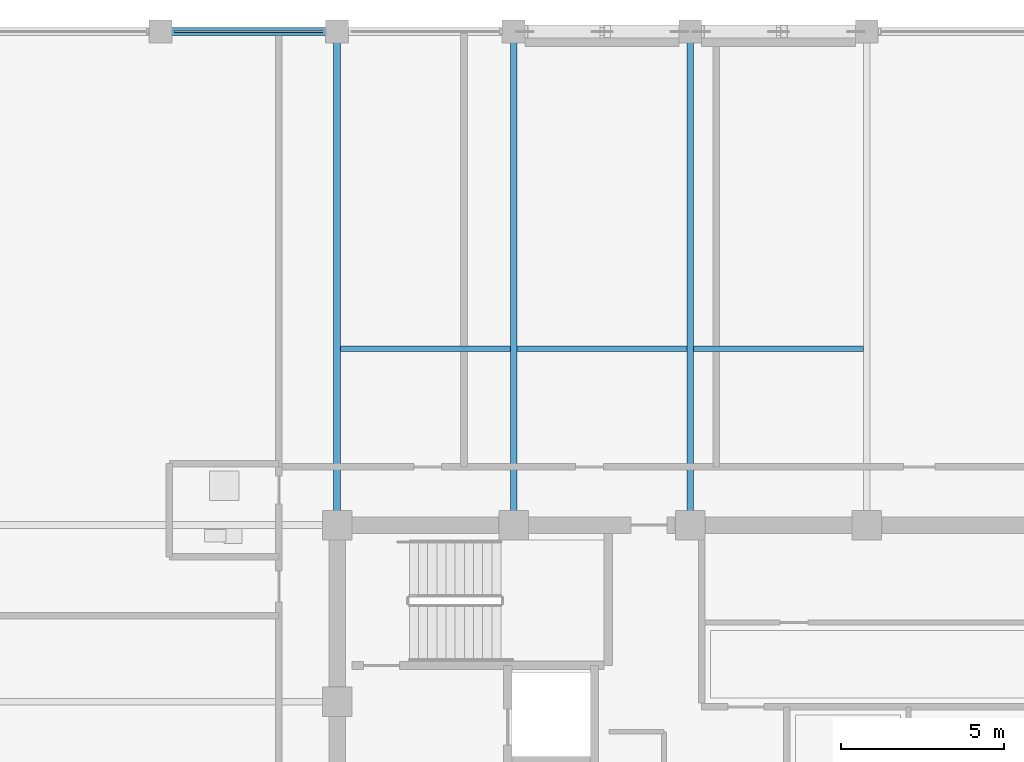
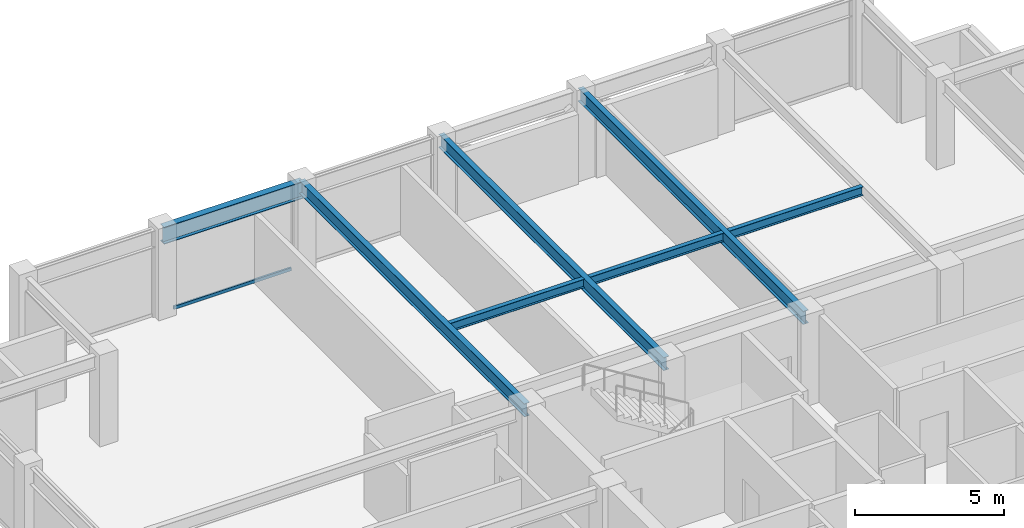
# One storey, part 15 of 29: 7 beams, 1 member, 1 element without a shape of its own.
"""IFC4 building model written with IfcOpenShell, lengths in metres."""

from ifc_helpers import new_model, si_unit, direction, frame, origin, origin_2d, place, context, subcontext, project, spatial, hollow_rectangle, i_section, extrude, material, layer, layer_set, material_profile, profile_set, type_object, element, aggregate, save


model = new_model("IFC4")

# Units and contexts
model_context = context("Model", 3, precision=1e-05, world=origin(), true_north=direction((0.0, 1.0)))
body_context = subcontext(model_context, "Body", "Model", "MODEL_VIEW")
ifc_project = project(units=[si_unit("LENGTHUNIT", "METRE"), si_unit("AREAUNIT", "SQUARE_METRE"), si_unit("VOLUMEUNIT", "CUBIC_METRE"), si_unit("PLANEANGLEUNIT", "RADIAN"), si_unit("MASSUNIT", "GRAM", prefix="KILO")], contexts=[model_context])

# Site, building, storey
site_placement = place(None, origin())
site = spatial("IfcSite", under=ifc_project, at=site_placement, CompositionType="ELEMENT")
building_placement = place(site_placement, origin())
building = spatial("IfcBuilding", under=site, at=building_placement, Name="Surkhivell Harbour Commons", CompositionType="ELEMENT")
storey_placement = place(building_placement, frame((0.0, 0.0, 273.75)))
storey = spatial("IfcBuildingStorey", under=building, at=storey_placement, Name="L71", CompositionType="ELEMENT", Elevation=273.75)

# Beams
ifc_material_1 = material(Name="Steel S355", Category="steel")
ifc_material_profile_1 = material_profile(ifc_material_1, i_section(OverallWidth=0.2099609375, OverallDepth=0.537109375, WebThickness=0.0107421875, FlangeThickness=0.017333984375, at=origin_2d()), Name="UB533x210x101")
ifc_profile_set_1 = profile_set([ifc_material_profile_1], Name="Steel S355")
beam_type_1 = type_object("IfcBeamType", Name="BM-GRD-533B", PredefinedType="BEAM", material=ifc_profile_set_1)
for number, where, z_axis, x_axis, name in (
    (1, (-10.800048828125, 10.800048828125, 3.301513671875), (0.0, 1.0, 0.0), (-1.0, 0.0, 0.0), "L71 Floor Girder (-10.8,10.8)"),
    (2, (-5.39990234375, 10.800048828125, 3.301513671875), (0.0, 1.0, 0.0), (-1.0, 0.0, 0.0), "L71 Floor Girder (-5.4,10.8)"),
    (3, (0.0, 10.800048828125, 3.301513671875), (0.0, 1.0, 0.0), (-1.0, 0.0, 0.0), "L71 Floor Girder (0.0,10.8)"),
):
    element("IfcBeam", number, at=place(storey_placement, frame(where, z_axis=z_axis, x_axis=x_axis)), inside=storey, type_object=beam_type_1, Name=name, PredefinedType="BEAM", context=body_context, shape_type="SweptSolid", body=[
        extrude(i_section(OverallWidth=0.2099609375, OverallDepth=0.537109375, WebThickness=0.0107421875, FlangeThickness=0.017333984375, at=origin_2d()), origin(), (0.0, 0.0, 1.0), 15.099853515625),
    ])
ifc_material_profile_2 = material_profile(ifc_material_1, i_section(OverallWidth=0.172119140625, OverallDepth=0.35791015625, WebThickness=0.008056640625, FlangeThickness=0.012939453125, at=origin_2d()), Name="UB356x171x57")
ifc_profile_set_2 = profile_set([ifc_material_profile_2], Name="Steel S355")
beam_type_2 = type_object("IfcBeamType", Name="BM-JST-356", PredefinedType="JOIST", material=ifc_profile_set_2)
for number, where, z_axis, x_axis, name in (
    (4, (-10.697021484375, 16.199951171875, 3.39111328125), (1.0, 0.0, 0.0), (0.0, 1.0, 0.0), "L71 North Composite Joist (-10.8)"),
    (5, (-5.297119140625, 16.199951171875, 3.39111328125), (1.0, 0.0, 0.0), (0.0, 1.0, 0.0), "L71 North Composite Joist (-5.4)"),
    (6, (0.10302734375, 16.199951171875, 3.39111328125), (1.0, 0.0, 0.0), (0.0, 1.0, 0.0), "L71 North Composite Joist (0.0)"),
):
    element("IfcBeam", number, at=place(storey_placement, frame(where, z_axis=z_axis, x_axis=x_axis)), inside=storey, type_object=beam_type_2, Name=name, PredefinedType="JOIST", context=body_context, shape_type="SweptSolid", body=[
        extrude(i_section(OverallWidth=0.172119140625, OverallDepth=0.35791015625, WebThickness=0.008056640625, FlangeThickness=0.012939453125, at=origin_2d()), origin(), (0.0, 0.0, 1.0), 5.194091796875),
    ])
ifc_material_profile_3 = material_profile(ifc_material_1, i_section(OverallWidth=0.256103515625, OverallDepth=0.693115234375, WebThickness=0.014404296875, FlangeThickness=0.023681640625, at=origin_2d()), Name="UB686x254x170")
ifc_profile_set_3 = profile_set([ifc_material_profile_3], Name="Steel S355")
beam_type_3 = type_object("IfcBeamType", Name="BM-SPN-686", PredefinedType="SPANDREL", material=ifc_profile_set_3)
beam_placement = place(storey_placement, frame((-16.199951171875, 25.89990234375, 3.223388671875), z_axis=(1.0, 0.0, 0.0), x_axis=(0.0, 1.0, 0.0)))
element("IfcBeam", 7, at=beam_placement, inside=storey, type_object=beam_type_3, Name="L71 Tube Spandrel (-16.2,25.9)", PredefinedType="SPANDREL", context=body_context, shape_type="SweptSolid", body=[
    extrude(i_section(OverallWidth=0.256103515625, OverallDepth=0.693115234375, WebThickness=0.014404296875, FlangeThickness=0.023681640625, at=origin_2d()), origin(), (0.0, 0.0, 1.0), 5.39990234375),
])

# Curtain wall, member
ifc_material_2 = material(Name="Anodised pale-metal aluminium and insulated glazing", Category="aluminium")
ifc_layer = layer(ifc_material_2, 0.175048828125)
ifc_layer_set = layer_set([ifc_layer], Name="Anodised pale-metal aluminium and insulated glazing")
curtain_wall_type = type_object("IfcCurtainWallType", Name="CW-SYS-Z4", PredefinedType="NOTDEFINED", material=ifc_layer_set)
curtain_wall_placement = place(storey_placement, origin())
curtain_wall = element("IfcCurtainWall", 8, at=curtain_wall_placement, inside=storey, type_object=curtain_wall_type, Name="L71 Curtain Wall CW-L71-E07S2", PredefinedType="NOTDEFINED")
ifc_material_3 = material(Name="Champagne anodised aluminium alloy 6063-T6", Category="aluminium")
ifc_material_profile_4 = material_profile(ifc_material_3, hollow_rectangle(XDim=0.070068359375, YDim=0.1298828125, WallThickness=0.00341796875, at=origin_2d()), Name="ALU-TRAN-70x130")
ifc_profile_set_4 = profile_set([ifc_material_profile_4], Name="Champagne anodised aluminium alloy 6063-T6")
member_type = type_object("IfcMemberType", Name="CWT-130", PredefinedType="USERDEFINED", material=ifc_profile_set_4)
member_placement = place(storey_placement, frame((-11.22705078125, 25.89990234375, 0.06494140625), z_axis=(-1.0, 0.0, 0.0), x_axis=(0.0, -1.0, 0.0)))
member = element("IfcMember", 9, at=member_placement, type_object=member_type, Name="CW-Z4 transom 2.1", ObjectType="TRANSOM", PredefinedType="USERDEFINED", context=body_context, shape_type="SweptSolid", body=[
    extrude(hollow_rectangle(XDim=0.070068359375, YDim=0.1298828125, WallThickness=0.00341796875, at=origin_2d()), origin(), (0.0, 0.0, 1.0), 4.5458984375),
])
aggregate(curtain_wall, [member])

save(model, "model.ifc")
